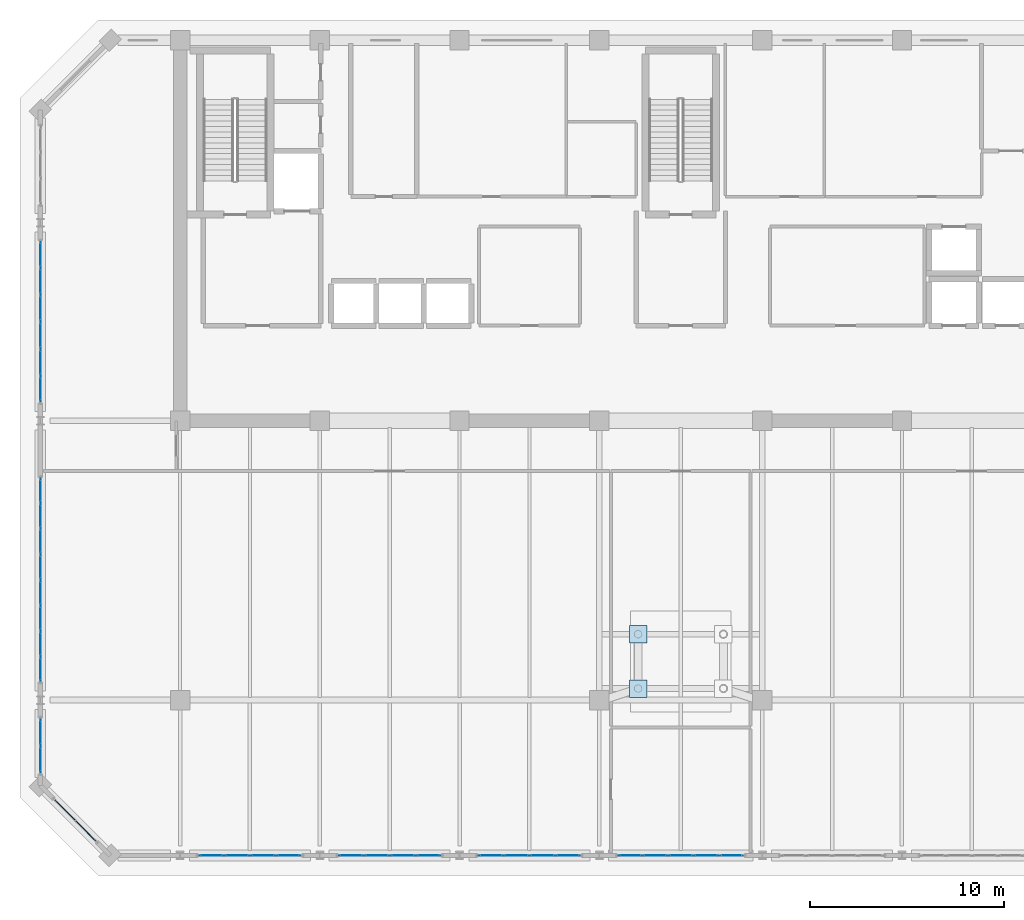
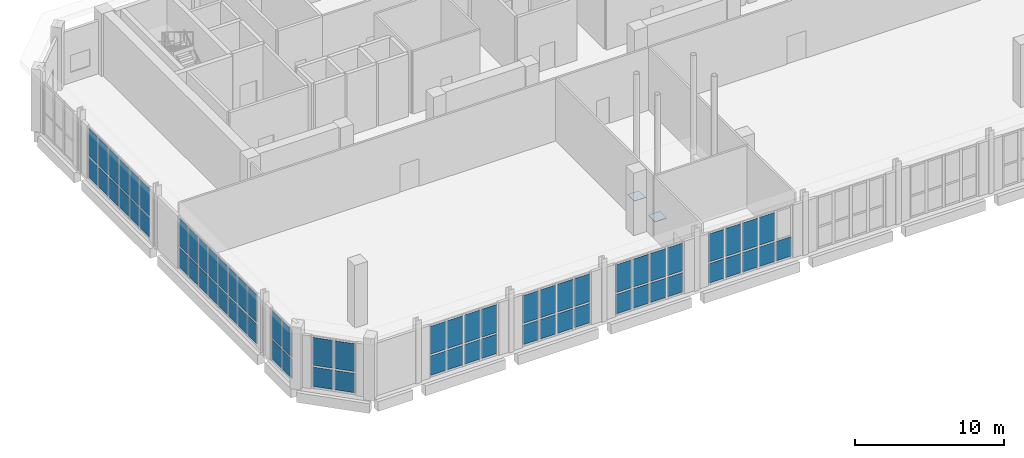
# One storey, part 17 of 26: 71 plates, 8 elements without a shape of their own.
"""IFC4 building model written with IfcOpenShell, lengths in metres."""

from ifc_helpers import new_model, si_unit, direction, frame, origin, origin_2d, place, context, subcontext, project, spatial, rectangle, extrude, material, layer, layer_set, type_object, element, aggregate, save


model = new_model("IFC4")

# Units and contexts
model_context = context("Model", 3, precision=1e-05, world=origin(), true_north=direction((0.0, 1.0)))
body_context = subcontext(model_context, "Body", "Model", "MODEL_VIEW")
ifc_project = project(units=[si_unit("LENGTHUNIT", "METRE"), si_unit("AREAUNIT", "SQUARE_METRE"), si_unit("VOLUMEUNIT", "CUBIC_METRE"), si_unit("PLANEANGLEUNIT", "RADIAN"), si_unit("MASSUNIT", "GRAM", prefix="KILO")], contexts=[model_context])

# Site, building, storey
site_placement = place(None, origin())
site = spatial("IfcSite", under=ifc_project, at=site_placement, CompositionType="ELEMENT")
building_placement = place(site_placement, origin())
building = spatial("IfcBuilding", under=site, at=building_placement, Name="Kaelvorn Grand Hotel", CompositionType="ELEMENT")
storey_placement = place(building_placement, frame((0.0, 0.0, 294.699951171875)))
storey = spatial("IfcBuildingStorey", under=building, at=storey_placement, Name="L72", CompositionType="ELEMENT", Elevation=294.699951171875)

# Curtain wall, plates
ifc_material_1 = material(Name="Anodised Aluminium", Category="aluminium")
ifc_layer_1 = layer(ifc_material_1, 0.239990234375)
ifc_layer_set_1 = layer_set([ifc_layer_1], Name="Anodised Aluminium")
curtain_wall_type = type_object("IfcCurtainWallType", Name="CW-SYS5", PredefinedType="NOTDEFINED", material=ifc_layer_set_1)
curtain_wall_1_placement = place(storey_placement, origin())
curtain_wall_1 = element("IfcCurtainWall", 1, at=curtain_wall_1_placement, inside=storey, type_object=curtain_wall_type, Name="L72 Unitised Curtain Wall CW5 (CW-L72-S-01)", PredefinedType="NOTDEFINED")
ifc_material_2 = material(Name="Laminated Low-E Glass", Category="glass")
ifc_layer_2 = layer(ifc_material_2, 0.0380859375)
ifc_layer_set_2 = layer_set([ifc_layer_2], Name="Laminated Low-E Glass")
plate_type_1 = type_object("IfcPlateType", Name="CW-SYS5-PAN", PredefinedType="CURTAIN_PANEL", material=ifc_layer_set_2)
plate_1_placement = place(storey_placement, frame((17.81005859375, 7.0, 0.150146484375), z_axis=(0.0, 0.0, 1.0), x_axis=(1.0, 0.0, 0.0)))
plate_1 = element("IfcPlate", 2, at=plate_1_placement, type_object=plate_type_1, Name="CW5 panel 1.1", PredefinedType="CURTAIN_PANEL", context=body_context, shape_type="SweptSolid", body=[
    extrude(rectangle(XDim=1.219970703125, YDim=0.0380859375, at=origin_2d()), origin(), (0.0, 0.0, 1.0), 1.58935546875),
])
plate_2_placement = place(storey_placement, frame((17.81005859375, 7.0, 1.8896484375), z_axis=(0.0, 0.0, 1.0), x_axis=(1.0, 0.0, 0.0)))
plate_2 = element("IfcPlate", 3, at=plate_2_placement, type_object=plate_type_1, Name="CW5 panel 1.2", PredefinedType="CURTAIN_PANEL", context=body_context, shape_type="SweptSolid", body=[
    extrude(rectangle(XDim=1.219970703125, YDim=0.0380859375, at=origin_2d()), origin(), (0.0, 0.0, 1.0), 2.280517578125),
])
plate_3_placement = place(storey_placement, frame((19.1298828125, 7.0, 0.150146484375), z_axis=(0.0, 0.0, 1.0), x_axis=(1.0, 0.0, 0.0)))
plate_3 = element("IfcPlate", 4, at=plate_3_placement, type_object=plate_type_1, Name="CW5 panel 2.1", PredefinedType="CURTAIN_PANEL", context=body_context, shape_type="SweptSolid", body=[
    extrude(rectangle(XDim=1.260009765625, YDim=0.0380859375, at=origin_2d()), origin(), (0.0, 0.0, 1.0), 1.58935546875),
])
plate_4_placement = place(storey_placement, frame((19.1298828125, 7.0, 1.8896484375), z_axis=(0.0, 0.0, 1.0), x_axis=(1.0, 0.0, 0.0)))
plate_4 = element("IfcPlate", 5, at=plate_4_placement, type_object=plate_type_1, Name="CW5 panel 2.2", PredefinedType="CURTAIN_PANEL", context=body_context, shape_type="SweptSolid", body=[
    extrude(rectangle(XDim=1.260009765625, YDim=0.0380859375, at=origin_2d()), origin(), (0.0, 0.0, 1.0), 2.280517578125),
])
plate_5_placement = place(storey_placement, frame((20.469970703125, 7.0, 0.150146484375), z_axis=(0.0, 0.0, 1.0), x_axis=(1.0, 0.0, 0.0)))
plate_5 = element("IfcPlate", 6, at=plate_5_placement, type_object=plate_type_1, Name="CW5 panel 3.1", PredefinedType="CURTAIN_PANEL", context=body_context, shape_type="SweptSolid", body=[
    extrude(rectangle(XDim=1.260009765625, YDim=0.0380859375, at=origin_2d()), origin(), (0.0, 0.0, 1.0), 1.58935546875),
])
plate_6_placement = place(storey_placement, frame((20.469970703125, 7.0, 1.8896484375), z_axis=(0.0, 0.0, 1.0), x_axis=(1.0, 0.0, 0.0)))
plate_6 = element("IfcPlate", 7, at=plate_6_placement, type_object=plate_type_1, Name="CW5 panel 3.2", PredefinedType="CURTAIN_PANEL", context=body_context, shape_type="SweptSolid", body=[
    extrude(rectangle(XDim=1.260009765625, YDim=0.0380859375, at=origin_2d()), origin(), (0.0, 0.0, 1.0), 2.280517578125),
])
plate_7_placement = place(storey_placement, frame((21.7900390625, 7.0, 0.150146484375), z_axis=(0.0, 0.0, 1.0), x_axis=(1.0, 0.0, 0.0)))
plate_7 = element("IfcPlate", 8, at=plate_7_placement, type_object=plate_type_1, Name="CW5 panel 4.1", PredefinedType="CURTAIN_PANEL", context=body_context, shape_type="SweptSolid", body=[
    extrude(rectangle(XDim=1.219970703125, YDim=0.0380859375, at=origin_2d()), origin(), (0.0, 0.0, 1.0), 1.58935546875),
])
plate_8_placement = place(storey_placement, frame((21.7900390625, 7.0, 1.8896484375), z_axis=(0.0, 0.0, 1.0), x_axis=(1.0, 0.0, 0.0)))
plate_8 = element("IfcPlate", 9, at=plate_8_placement, type_object=plate_type_1, Name="CW5 panel 4.2", PredefinedType="CURTAIN_PANEL", context=body_context, shape_type="SweptSolid", body=[
    extrude(rectangle(XDim=1.219970703125, YDim=0.0380859375, at=origin_2d()), origin(), (0.0, 0.0, 1.0), 2.280517578125),
])
aggregate(curtain_wall_1, [plate_1, plate_2, plate_3, plate_4, plate_5, plate_6, plate_7, plate_8])

curtain_wall_2_placement = place(storey_placement, origin())
curtain_wall_2 = element("IfcCurtainWall", 10, at=curtain_wall_2_placement, inside=storey, type_object=curtain_wall_type, Name="L72 Unitised Curtain Wall CW5 (CW-L72-S-02)", PredefinedType="NOTDEFINED")
plate_9_placement = place(storey_placement, frame((25.010009765625, 7.0, 0.150146484375), z_axis=(0.0, 0.0, 1.0), x_axis=(1.0, 0.0, 0.0)))
plate_9 = element("IfcPlate", 11, at=plate_9_placement, type_object=plate_type_1, Name="CW5 panel 1.1", PredefinedType="CURTAIN_PANEL", context=body_context, shape_type="SweptSolid", body=[
    extrude(rectangle(XDim=1.219970703125, YDim=0.0380859375, at=origin_2d()), origin(), (0.0, 0.0, 1.0), 1.58935546875),
])
plate_10_placement = place(storey_placement, frame((25.010009765625, 7.0, 1.8896484375), z_axis=(0.0, 0.0, 1.0), x_axis=(1.0, 0.0, 0.0)))
plate_10 = element("IfcPlate", 12, at=plate_10_placement, type_object=plate_type_1, Name="CW5 panel 1.2", PredefinedType="CURTAIN_PANEL", context=body_context, shape_type="SweptSolid", body=[
    extrude(rectangle(XDim=1.219970703125, YDim=0.0380859375, at=origin_2d()), origin(), (0.0, 0.0, 1.0), 2.280517578125),
])
plate_11_placement = place(storey_placement, frame((26.330078125, 7.0, 0.150146484375), z_axis=(0.0, 0.0, 1.0), x_axis=(1.0, 0.0, 0.0)))
plate_11 = element("IfcPlate", 13, at=plate_11_placement, type_object=plate_type_1, Name="CW5 panel 2.1", PredefinedType="CURTAIN_PANEL", context=body_context, shape_type="SweptSolid", body=[
    extrude(rectangle(XDim=1.260009765625, YDim=0.0380859375, at=origin_2d()), origin(), (0.0, 0.0, 1.0), 1.58935546875),
])
plate_12_placement = place(storey_placement, frame((26.330078125, 7.0, 1.8896484375), z_axis=(0.0, 0.0, 1.0), x_axis=(1.0, 0.0, 0.0)))
plate_12 = element("IfcPlate", 14, at=plate_12_placement, type_object=plate_type_1, Name="CW5 panel 2.2", PredefinedType="CURTAIN_PANEL", context=body_context, shape_type="SweptSolid", body=[
    extrude(rectangle(XDim=1.260009765625, YDim=0.0380859375, at=origin_2d()), origin(), (0.0, 0.0, 1.0), 2.280517578125),
])
plate_13_placement = place(storey_placement, frame((27.669921875, 7.0, 0.150146484375), z_axis=(0.0, 0.0, 1.0), x_axis=(1.0, 0.0, 0.0)))
plate_13 = element("IfcPlate", 15, at=plate_13_placement, type_object=plate_type_1, Name="CW5 panel 3.1", PredefinedType="CURTAIN_PANEL", context=body_context, shape_type="SweptSolid", body=[
    extrude(rectangle(XDim=1.260009765625, YDim=0.0380859375, at=origin_2d()), origin(), (0.0, 0.0, 1.0), 1.58935546875),
])
plate_14_placement = place(storey_placement, frame((27.669921875, 7.0, 1.8896484375), z_axis=(0.0, 0.0, 1.0), x_axis=(1.0, 0.0, 0.0)))
plate_14 = element("IfcPlate", 16, at=plate_14_placement, type_object=plate_type_1, Name="CW5 panel 3.2", PredefinedType="CURTAIN_PANEL", context=body_context, shape_type="SweptSolid", body=[
    extrude(rectangle(XDim=1.260009765625, YDim=0.0380859375, at=origin_2d()), origin(), (0.0, 0.0, 1.0), 2.280517578125),
])
plate_15_placement = place(storey_placement, frame((28.989990234375, 7.0, 0.150146484375), z_axis=(0.0, 0.0, 1.0), x_axis=(1.0, 0.0, 0.0)))
plate_15 = element("IfcPlate", 17, at=plate_15_placement, type_object=plate_type_1, Name="CW5 panel 4.1", PredefinedType="CURTAIN_PANEL", context=body_context, shape_type="SweptSolid", body=[
    extrude(rectangle(XDim=1.219970703125, YDim=0.0380859375, at=origin_2d()), origin(), (0.0, 0.0, 1.0), 1.58935546875),
])
plate_16_placement = place(storey_placement, frame((28.989990234375, 7.0, 1.8896484375), z_axis=(0.0, 0.0, 1.0), x_axis=(1.0, 0.0, 0.0)))
plate_16 = element("IfcPlate", 18, at=plate_16_placement, type_object=plate_type_1, Name="CW5 panel 4.2", PredefinedType="CURTAIN_PANEL", context=body_context, shape_type="SweptSolid", body=[
    extrude(rectangle(XDim=1.219970703125, YDim=0.0380859375, at=origin_2d()), origin(), (0.0, 0.0, 1.0), 2.280517578125),
])
aggregate(curtain_wall_2, [plate_9, plate_10, plate_11, plate_12, plate_13, plate_14, plate_15, plate_16])

curtain_wall_3_placement = place(storey_placement, origin())
curtain_wall_3 = element("IfcCurtainWall", 19, at=curtain_wall_3_placement, inside=storey, type_object=curtain_wall_type, Name="L72 Unitised Curtain Wall CW5 (CW-L72-S-03)", PredefinedType="NOTDEFINED")
plate_17_placement = place(storey_placement, frame((32.2099609375, 7.0, 0.150146484375), z_axis=(0.0, 0.0, 1.0), x_axis=(1.0, 0.0, 0.0)))
plate_17 = element("IfcPlate", 20, at=plate_17_placement, type_object=plate_type_1, Name="CW5 panel 1.1", PredefinedType="CURTAIN_PANEL", context=body_context, shape_type="SweptSolid", body=[
    extrude(rectangle(XDim=1.219970703125, YDim=0.0380859375, at=origin_2d()), origin(), (0.0, 0.0, 1.0), 1.58935546875),
])
plate_18_placement = place(storey_placement, frame((32.2099609375, 7.0, 1.8896484375), z_axis=(0.0, 0.0, 1.0), x_axis=(1.0, 0.0, 0.0)))
plate_18 = element("IfcPlate", 21, at=plate_18_placement, type_object=plate_type_1, Name="CW5 panel 1.2", PredefinedType="CURTAIN_PANEL", context=body_context, shape_type="SweptSolid", body=[
    extrude(rectangle(XDim=1.219970703125, YDim=0.0380859375, at=origin_2d()), origin(), (0.0, 0.0, 1.0), 2.280517578125),
])
plate_19_placement = place(storey_placement, frame((33.530029296875, 7.0, 0.150146484375), z_axis=(0.0, 0.0, 1.0), x_axis=(1.0, 0.0, 0.0)))
plate_19 = element("IfcPlate", 22, at=plate_19_placement, type_object=plate_type_1, Name="CW5 panel 2.1", PredefinedType="CURTAIN_PANEL", context=body_context, shape_type="SweptSolid", body=[
    extrude(rectangle(XDim=1.260009765625, YDim=0.0380859375, at=origin_2d()), origin(), (0.0, 0.0, 1.0), 1.58935546875),
])
plate_20_placement = place(storey_placement, frame((33.530029296875, 7.0, 1.8896484375), z_axis=(0.0, 0.0, 1.0), x_axis=(1.0, 0.0, 0.0)))
plate_20 = element("IfcPlate", 23, at=plate_20_placement, type_object=plate_type_1, Name="CW5 panel 2.2", PredefinedType="CURTAIN_PANEL", context=body_context, shape_type="SweptSolid", body=[
    extrude(rectangle(XDim=1.260009765625, YDim=0.0380859375, at=origin_2d()), origin(), (0.0, 0.0, 1.0), 2.280517578125),
])
plate_21_placement = place(storey_placement, frame((34.8701171875, 7.0, 0.150146484375), z_axis=(0.0, 0.0, 1.0), x_axis=(1.0, 0.0, 0.0)))
plate_21 = element("IfcPlate", 24, at=plate_21_placement, type_object=plate_type_1, Name="CW5 panel 3.1", PredefinedType="CURTAIN_PANEL", context=body_context, shape_type="SweptSolid", body=[
    extrude(rectangle(XDim=1.260009765625, YDim=0.0380859375, at=origin_2d()), origin(), (0.0, 0.0, 1.0), 1.58935546875),
])
plate_22_placement = place(storey_placement, frame((34.8701171875, 7.0, 1.8896484375), z_axis=(0.0, 0.0, 1.0), x_axis=(1.0, 0.0, 0.0)))
plate_22 = element("IfcPlate", 25, at=plate_22_placement, type_object=plate_type_1, Name="CW5 panel 3.2", PredefinedType="CURTAIN_PANEL", context=body_context, shape_type="SweptSolid", body=[
    extrude(rectangle(XDim=1.260009765625, YDim=0.0380859375, at=origin_2d()), origin(), (0.0, 0.0, 1.0), 2.280517578125),
])
plate_23_placement = place(storey_placement, frame((36.18994140625, 7.0, 0.150146484375), z_axis=(0.0, 0.0, 1.0), x_axis=(1.0, 0.0, 0.0)))
plate_23 = element("IfcPlate", 26, at=plate_23_placement, type_object=plate_type_1, Name="CW5 panel 4.1", PredefinedType="CURTAIN_PANEL", context=body_context, shape_type="SweptSolid", body=[
    extrude(rectangle(XDim=1.219970703125, YDim=0.0380859375, at=origin_2d()), origin(), (0.0, 0.0, 1.0), 1.58935546875),
])
plate_24_placement = place(storey_placement, frame((36.18994140625, 7.0, 1.8896484375), z_axis=(0.0, 0.0, 1.0), x_axis=(1.0, 0.0, 0.0)))
plate_24 = element("IfcPlate", 27, at=plate_24_placement, type_object=plate_type_1, Name="CW5 panel 4.2", PredefinedType="CURTAIN_PANEL", context=body_context, shape_type="SweptSolid", body=[
    extrude(rectangle(XDim=1.219970703125, YDim=0.0380859375, at=origin_2d()), origin(), (0.0, 0.0, 1.0), 2.280517578125),
])
aggregate(curtain_wall_3, [plate_17, plate_18, plate_19, plate_20, plate_21, plate_22, plate_23, plate_24])

curtain_wall_4_placement = place(storey_placement, origin())
curtain_wall_4 = element("IfcCurtainWall", 28, at=curtain_wall_4_placement, inside=storey, type_object=curtain_wall_type, Name="L72 Unitised Curtain Wall CW5 (CW-L72-S-04)", PredefinedType="NOTDEFINED")
plate_25_placement = place(storey_placement, frame((39.39599609375, 7.0, 0.150146484375), z_axis=(0.0, 0.0, 1.0), x_axis=(1.0, 0.0, 0.0)))
plate_25 = element("IfcPlate", 29, at=plate_25_placement, type_object=plate_type_1, Name="CW5 panel 1.1", PredefinedType="CURTAIN_PANEL", context=body_context, shape_type="SweptSolid", body=[
    extrude(rectangle(XDim=1.19189453125, YDim=0.0380859375, at=origin_2d()), origin(), (0.0, 0.0, 1.0), 1.58935546875),
])
plate_26_placement = place(storey_placement, frame((39.39599609375, 7.0, 1.8896484375), z_axis=(0.0, 0.0, 1.0), x_axis=(1.0, 0.0, 0.0)))
plate_26 = element("IfcPlate", 30, at=plate_26_placement, type_object=plate_type_1, Name="CW5 panel 1.2", PredefinedType="CURTAIN_PANEL", context=body_context, shape_type="SweptSolid", body=[
    extrude(rectangle(XDim=1.19189453125, YDim=0.0380859375, at=origin_2d()), origin(), (0.0, 0.0, 1.0), 2.280517578125),
])
plate_27_placement = place(storey_placement, frame((40.68798828125, 7.0, 0.150146484375), z_axis=(0.0, 0.0, 1.0), x_axis=(1.0, 0.0, 0.0)))
plate_27 = element("IfcPlate", 31, at=plate_27_placement, type_object=plate_type_1, Name="CW5 panel 2.1", PredefinedType="CURTAIN_PANEL", context=body_context, shape_type="SweptSolid", body=[
    extrude(rectangle(XDim=1.23193359375, YDim=0.0380859375, at=origin_2d()), origin(), (0.0, 0.0, 1.0), 1.58935546875),
])
plate_28_placement = place(storey_placement, frame((40.68798828125, 7.0, 1.8896484375), z_axis=(0.0, 0.0, 1.0), x_axis=(1.0, 0.0, 0.0)))
plate_28 = element("IfcPlate", 32, at=plate_28_placement, type_object=plate_type_1, Name="CW5 panel 2.2", PredefinedType="CURTAIN_PANEL", context=body_context, shape_type="SweptSolid", body=[
    extrude(rectangle(XDim=1.23193359375, YDim=0.0380859375, at=origin_2d()), origin(), (0.0, 0.0, 1.0), 2.280517578125),
])
plate_29_placement = place(storey_placement, frame((42.0, 7.0, 0.150146484375), z_axis=(0.0, 0.0, 1.0), x_axis=(1.0, 0.0, 0.0)))
plate_29 = element("IfcPlate", 33, at=plate_29_placement, type_object=plate_type_1, Name="CW5 panel 3.1", PredefinedType="CURTAIN_PANEL", context=body_context, shape_type="SweptSolid", body=[
    extrude(rectangle(XDim=1.23193359375, YDim=0.0380859375, at=origin_2d()), origin(), (0.0, 0.0, 1.0), 1.58935546875),
])
plate_30_placement = place(storey_placement, frame((42.0, 7.0, 1.8896484375), z_axis=(0.0, 0.0, 1.0), x_axis=(1.0, 0.0, 0.0)))
plate_30 = element("IfcPlate", 34, at=plate_30_placement, type_object=plate_type_1, Name="CW5 panel 3.2", PredefinedType="CURTAIN_PANEL", context=body_context, shape_type="SweptSolid", body=[
    extrude(rectangle(XDim=1.23193359375, YDim=0.0380859375, at=origin_2d()), origin(), (0.0, 0.0, 1.0), 2.280517578125),
])
plate_31_placement = place(storey_placement, frame((43.31201171875, 7.0, 0.150146484375), z_axis=(0.0, 0.0, 1.0), x_axis=(1.0, 0.0, 0.0)))
plate_31 = element("IfcPlate", 35, at=plate_31_placement, type_object=plate_type_1, Name="CW5 panel 4.1", PredefinedType="CURTAIN_PANEL", context=body_context, shape_type="SweptSolid", body=[
    extrude(rectangle(XDim=1.23193359375, YDim=0.0380859375, at=origin_2d()), origin(), (0.0, 0.0, 1.0), 1.58935546875),
])
plate_32_placement = place(storey_placement, frame((43.31201171875, 7.0, 1.8896484375), z_axis=(0.0, 0.0, 1.0), x_axis=(1.0, 0.0, 0.0)))
plate_32 = element("IfcPlate", 36, at=plate_32_placement, type_object=plate_type_1, Name="CW5 panel 4.2", PredefinedType="CURTAIN_PANEL", context=body_context, shape_type="SweptSolid", body=[
    extrude(rectangle(XDim=1.23193359375, YDim=0.0380859375, at=origin_2d()), origin(), (0.0, 0.0, 1.0), 2.280517578125),
])
plate_33_placement = place(storey_placement, frame((44.60400390625, 7.0, 0.150146484375), z_axis=(0.0, 0.0, 1.0), x_axis=(1.0, 0.0, 0.0)))
plate_33 = element("IfcPlate", 37, at=plate_33_placement, type_object=plate_type_1, Name="CW5 panel 5.1", PredefinedType="CURTAIN_PANEL", context=body_context, shape_type="SweptSolid", body=[
    extrude(rectangle(XDim=1.19189453125, YDim=0.0380859375, at=origin_2d()), origin(), (0.0, 0.0, 1.0), 1.58935546875),
])
aggregate(curtain_wall_4, [plate_25, plate_26, plate_27, plate_28, plate_29, plate_30, plate_31, plate_32, plate_33])

curtain_wall_5_placement = place(storey_placement, origin())
curtain_wall_5 = element("IfcCurtainWall", 38, at=curtain_wall_5_placement, inside=storey, type_object=curtain_wall_type, Name="L72 Unitised Curtain Wall CW5 (CW-L72-W-03)", PredefinedType="NOTDEFINED")
plate_34_placement = place(storey_placement, frame((9.0, 37.96337890625, 0.150146484375), z_axis=(0.0, 0.0, 1.0), x_axis=(0.0, -1.0, 0.0)))
plate_34 = element("IfcPlate", 39, at=plate_34_placement, type_object=plate_type_1, Name="CW5 panel 1.1", PredefinedType="CURTAIN_PANEL", context=body_context, shape_type="SweptSolid", body=[
    extrude(rectangle(XDim=1.2734375, YDim=0.0380859375, at=origin_2d()), origin(), (0.0, 0.0, 1.0), 1.58935546875),
])
plate_35_placement = place(storey_placement, frame((9.0, 37.96337890625, 1.8896484375), z_axis=(0.0, 0.0, 1.0), x_axis=(0.0, -1.0, 0.0)))
plate_35 = element("IfcPlate", 40, at=plate_35_placement, type_object=plate_type_1, Name="CW5 panel 1.2", PredefinedType="CURTAIN_PANEL", context=body_context, shape_type="SweptSolid", body=[
    extrude(rectangle(XDim=1.2734375, YDim=0.0380859375, at=origin_2d()), origin(), (0.0, 0.0, 1.0), 2.280517578125),
])
plate_36_placement = place(storey_placement, frame((9.0, 36.590087890625, 0.150146484375), z_axis=(0.0, 0.0, 1.0), x_axis=(0.0, -1.0, 0.0)))
plate_36 = element("IfcPlate", 41, at=plate_36_placement, type_object=plate_type_1, Name="CW5 panel 2.1", PredefinedType="CURTAIN_PANEL", context=body_context, shape_type="SweptSolid", body=[
    extrude(rectangle(XDim=1.313232421875, YDim=0.0380859375, at=origin_2d()), origin(), (0.0, 0.0, 1.0), 1.58935546875),
])
plate_37_placement = place(storey_placement, frame((9.0, 36.590087890625, 1.8896484375), z_axis=(0.0, 0.0, 1.0), x_axis=(0.0, -1.0, 0.0)))
plate_37 = element("IfcPlate", 42, at=plate_37_placement, type_object=plate_type_1, Name="CW5 panel 2.2", PredefinedType="CURTAIN_PANEL", context=body_context, shape_type="SweptSolid", body=[
    extrude(rectangle(XDim=1.313232421875, YDim=0.0380859375, at=origin_2d()), origin(), (0.0, 0.0, 1.0), 2.280517578125),
])
plate_38_placement = place(storey_placement, frame((9.0, 35.19677734375, 0.150146484375), z_axis=(0.0, 0.0, 1.0), x_axis=(0.0, -1.0, 0.0)))
plate_38 = element("IfcPlate", 43, at=plate_38_placement, type_object=plate_type_1, Name="CW5 panel 3.1", PredefinedType="CURTAIN_PANEL", context=body_context, shape_type="SweptSolid", body=[
    extrude(rectangle(XDim=1.313232421875, YDim=0.0380859375, at=origin_2d()), origin(), (0.0, 0.0, 1.0), 1.58935546875),
])
plate_39_placement = place(storey_placement, frame((9.0, 35.19677734375, 1.8896484375), z_axis=(0.0, 0.0, 1.0), x_axis=(0.0, -1.0, 0.0)))
plate_39 = element("IfcPlate", 44, at=plate_39_placement, type_object=plate_type_1, Name="CW5 panel 3.2", PredefinedType="CURTAIN_PANEL", context=body_context, shape_type="SweptSolid", body=[
    extrude(rectangle(XDim=1.313232421875, YDim=0.0380859375, at=origin_2d()), origin(), (0.0, 0.0, 1.0), 2.280517578125),
])
plate_40_placement = place(storey_placement, frame((9.0, 33.80322265625, 0.150146484375), z_axis=(0.0, 0.0, 1.0), x_axis=(0.0, -1.0, 0.0)))
plate_40 = element("IfcPlate", 45, at=plate_40_placement, type_object=plate_type_1, Name="CW5 panel 4.1", PredefinedType="CURTAIN_PANEL", context=body_context, shape_type="SweptSolid", body=[
    extrude(rectangle(XDim=1.313232421875, YDim=0.0380859375, at=origin_2d()), origin(), (0.0, 0.0, 1.0), 1.58935546875),
])
plate_41_placement = place(storey_placement, frame((9.0, 33.80322265625, 1.8896484375), z_axis=(0.0, 0.0, 1.0), x_axis=(0.0, -1.0, 0.0)))
plate_41 = element("IfcPlate", 46, at=plate_41_placement, type_object=plate_type_1, Name="CW5 panel 4.2", PredefinedType="CURTAIN_PANEL", context=body_context, shape_type="SweptSolid", body=[
    extrude(rectangle(XDim=1.313232421875, YDim=0.0380859375, at=origin_2d()), origin(), (0.0, 0.0, 1.0), 2.280517578125),
])
plate_42_placement = place(storey_placement, frame((9.0, 32.409912109375, 0.150146484375), z_axis=(0.0, 0.0, 1.0), x_axis=(0.0, -1.0, 0.0)))
plate_42 = element("IfcPlate", 47, at=plate_42_placement, type_object=plate_type_1, Name="CW5 panel 5.1", PredefinedType="CURTAIN_PANEL", context=body_context, shape_type="SweptSolid", body=[
    extrude(rectangle(XDim=1.313232421875, YDim=0.0380859375, at=origin_2d()), origin(), (0.0, 0.0, 1.0), 1.58935546875),
])
plate_43_placement = place(storey_placement, frame((9.0, 32.409912109375, 1.8896484375), z_axis=(0.0, 0.0, 1.0), x_axis=(0.0, -1.0, 0.0)))
plate_43 = element("IfcPlate", 48, at=plate_43_placement, type_object=plate_type_1, Name="CW5 panel 5.2", PredefinedType="CURTAIN_PANEL", context=body_context, shape_type="SweptSolid", body=[
    extrude(rectangle(XDim=1.313232421875, YDim=0.0380859375, at=origin_2d()), origin(), (0.0, 0.0, 1.0), 2.280517578125),
])
plate_44_placement = place(storey_placement, frame((9.0, 31.03662109375, 0.150146484375), z_axis=(0.0, 0.0, 1.0), x_axis=(0.0, -1.0, 0.0)))
plate_44 = element("IfcPlate", 49, at=plate_44_placement, type_object=plate_type_1, Name="CW5 panel 6.1", PredefinedType="CURTAIN_PANEL", context=body_context, shape_type="SweptSolid", body=[
    extrude(rectangle(XDim=1.2734375, YDim=0.0380859375, at=origin_2d()), origin(), (0.0, 0.0, 1.0), 1.58935546875),
])
plate_45_placement = place(storey_placement, frame((9.0, 31.03662109375, 1.8896484375), z_axis=(0.0, 0.0, 1.0), x_axis=(0.0, -1.0, 0.0)))
plate_45 = element("IfcPlate", 50, at=plate_45_placement, type_object=plate_type_1, Name="CW5 panel 6.2", PredefinedType="CURTAIN_PANEL", context=body_context, shape_type="SweptSolid", body=[
    extrude(rectangle(XDim=1.2734375, YDim=0.0380859375, at=origin_2d()), origin(), (0.0, 0.0, 1.0), 2.280517578125),
])
aggregate(curtain_wall_5, [plate_34, plate_35, plate_36, plate_37, plate_38, plate_39, plate_40, plate_41, plate_42, plate_43, plate_44, plate_45])

curtain_wall_6_placement = place(storey_placement, origin())
curtain_wall_6 = element("IfcCurtainWall", 51, at=curtain_wall_6_placement, inside=storey, type_object=curtain_wall_type, Name="L72 Unitised Curtain Wall CW5 (CW-L72-W-02)", PredefinedType="NOTDEFINED")
plate_46_placement = place(storey_placement, frame((9.0, 25.800048828125, 0.150146484375), z_axis=(0.0, 0.0, 1.0), x_axis=(0.0, -1.0, 0.0)))
plate_46 = element("IfcPlate", 52, at=plate_46_placement, type_object=plate_type_1, Name="CW5 panel 1.1", PredefinedType="CURTAIN_PANEL", context=body_context, shape_type="SweptSolid", body=[
    extrude(rectangle(XDim=1.199951171875, YDim=0.0380859375, at=origin_2d()), origin(), (0.0, 0.0, 1.0), 1.58935546875),
])
plate_47_placement = place(storey_placement, frame((9.0, 25.800048828125, 1.8896484375), z_axis=(0.0, 0.0, 1.0), x_axis=(0.0, -1.0, 0.0)))
plate_47 = element("IfcPlate", 53, at=plate_47_placement, type_object=plate_type_1, Name="CW5 panel 1.2", PredefinedType="CURTAIN_PANEL", context=body_context, shape_type="SweptSolid", body=[
    extrude(rectangle(XDim=1.199951171875, YDim=0.0380859375, at=origin_2d()), origin(), (0.0, 0.0, 1.0), 2.280517578125),
])
plate_48_placement = place(storey_placement, frame((9.0, 24.5, 0.150146484375), z_axis=(0.0, 0.0, 1.0), x_axis=(0.0, -1.0, 0.0)))
plate_48 = element("IfcPlate", 54, at=plate_48_placement, type_object=plate_type_1, Name="CW5 panel 2.1", PredefinedType="CURTAIN_PANEL", context=body_context, shape_type="SweptSolid", body=[
    extrude(rectangle(XDim=1.239990234375, YDim=0.0380859375, at=origin_2d()), origin(), (0.0, 0.0, 1.0), 1.58935546875),
])
plate_49_placement = place(storey_placement, frame((9.0, 24.5, 1.8896484375), z_axis=(0.0, 0.0, 1.0), x_axis=(0.0, -1.0, 0.0)))
plate_49 = element("IfcPlate", 55, at=plate_49_placement, type_object=plate_type_1, Name="CW5 panel 2.2", PredefinedType="CURTAIN_PANEL", context=body_context, shape_type="SweptSolid", body=[
    extrude(rectangle(XDim=1.239990234375, YDim=0.0380859375, at=origin_2d()), origin(), (0.0, 0.0, 1.0), 2.280517578125),
])
plate_50_placement = place(storey_placement, frame((9.0, 23.179931640625, 0.150146484375), z_axis=(0.0, 0.0, 1.0), x_axis=(0.0, -1.0, 0.0)))
plate_50 = element("IfcPlate", 56, at=plate_50_placement, type_object=plate_type_1, Name="CW5 panel 3.1", PredefinedType="CURTAIN_PANEL", context=body_context, shape_type="SweptSolid", body=[
    extrude(rectangle(XDim=1.239990234375, YDim=0.0380859375, at=origin_2d()), origin(), (0.0, 0.0, 1.0), 1.58935546875),
])
plate_51_placement = place(storey_placement, frame((9.0, 23.179931640625, 1.8896484375), z_axis=(0.0, 0.0, 1.0), x_axis=(0.0, -1.0, 0.0)))
plate_51 = element("IfcPlate", 57, at=plate_51_placement, type_object=plate_type_1, Name="CW5 panel 3.2", PredefinedType="CURTAIN_PANEL", context=body_context, shape_type="SweptSolid", body=[
    extrude(rectangle(XDim=1.239990234375, YDim=0.0380859375, at=origin_2d()), origin(), (0.0, 0.0, 1.0), 2.280517578125),
])
plate_52_placement = place(storey_placement, frame((9.0, 21.860107421875, 0.150146484375), z_axis=(0.0, 0.0, 1.0), x_axis=(0.0, -1.0, 0.0)))
plate_52 = element("IfcPlate", 58, at=plate_52_placement, type_object=plate_type_1, Name="CW5 panel 4.1", PredefinedType="CURTAIN_PANEL", context=body_context, shape_type="SweptSolid", body=[
    extrude(rectangle(XDim=1.239990234375, YDim=0.0380859375, at=origin_2d()), origin(), (0.0, 0.0, 1.0), 1.58935546875),
])
plate_53_placement = place(storey_placement, frame((9.0, 21.860107421875, 1.8896484375), z_axis=(0.0, 0.0, 1.0), x_axis=(0.0, -1.0, 0.0)))
plate_53 = element("IfcPlate", 59, at=plate_53_placement, type_object=plate_type_1, Name="CW5 panel 4.2", PredefinedType="CURTAIN_PANEL", context=body_context, shape_type="SweptSolid", body=[
    extrude(rectangle(XDim=1.239990234375, YDim=0.0380859375, at=origin_2d()), origin(), (0.0, 0.0, 1.0), 2.280517578125),
])
plate_54_placement = place(storey_placement, frame((9.0, 20.5400390625, 0.150146484375), z_axis=(0.0, 0.0, 1.0), x_axis=(0.0, -1.0, 0.0)))
plate_54 = element("IfcPlate", 60, at=plate_54_placement, type_object=plate_type_1, Name="CW5 panel 5.1", PredefinedType="CURTAIN_PANEL", context=body_context, shape_type="SweptSolid", body=[
    extrude(rectangle(XDim=1.239990234375, YDim=0.0380859375, at=origin_2d()), origin(), (0.0, 0.0, 1.0), 1.58935546875),
])
plate_55_placement = place(storey_placement, frame((9.0, 20.5400390625, 1.8896484375), z_axis=(0.0, 0.0, 1.0), x_axis=(0.0, -1.0, 0.0)))
plate_55 = element("IfcPlate", 61, at=plate_55_placement, type_object=plate_type_1, Name="CW5 panel 5.2", PredefinedType="CURTAIN_PANEL", context=body_context, shape_type="SweptSolid", body=[
    extrude(rectangle(XDim=1.239990234375, YDim=0.0380859375, at=origin_2d()), origin(), (0.0, 0.0, 1.0), 2.280517578125),
])
plate_56_placement = place(storey_placement, frame((9.0, 19.219970703125, 0.150146484375), z_axis=(0.0, 0.0, 1.0), x_axis=(0.0, -1.0, 0.0)))
plate_56 = element("IfcPlate", 62, at=plate_56_placement, type_object=plate_type_1, Name="CW5 panel 6.1", PredefinedType="CURTAIN_PANEL", context=body_context, shape_type="SweptSolid", body=[
    extrude(rectangle(XDim=1.239990234375, YDim=0.0380859375, at=origin_2d()), origin(), (0.0, 0.0, 1.0), 1.58935546875),
])
plate_57_placement = place(storey_placement, frame((9.0, 19.219970703125, 1.8896484375), z_axis=(0.0, 0.0, 1.0), x_axis=(0.0, -1.0, 0.0)))
plate_57 = element("IfcPlate", 63, at=plate_57_placement, type_object=plate_type_1, Name="CW5 panel 6.2", PredefinedType="CURTAIN_PANEL", context=body_context, shape_type="SweptSolid", body=[
    extrude(rectangle(XDim=1.239990234375, YDim=0.0380859375, at=origin_2d()), origin(), (0.0, 0.0, 1.0), 2.280517578125),
])
plate_58_placement = place(storey_placement, frame((9.0, 17.89990234375, 0.150146484375), z_axis=(0.0, 0.0, 1.0), x_axis=(0.0, -1.0, 0.0)))
plate_58 = element("IfcPlate", 64, at=plate_58_placement, type_object=plate_type_1, Name="CW5 panel 7.1", PredefinedType="CURTAIN_PANEL", context=body_context, shape_type="SweptSolid", body=[
    extrude(rectangle(XDim=1.239990234375, YDim=0.0380859375, at=origin_2d()), origin(), (0.0, 0.0, 1.0), 1.58935546875),
])
plate_59_placement = place(storey_placement, frame((9.0, 17.89990234375, 1.8896484375), z_axis=(0.0, 0.0, 1.0), x_axis=(0.0, -1.0, 0.0)))
plate_59 = element("IfcPlate", 65, at=plate_59_placement, type_object=plate_type_1, Name="CW5 panel 7.2", PredefinedType="CURTAIN_PANEL", context=body_context, shape_type="SweptSolid", body=[
    extrude(rectangle(XDim=1.239990234375, YDim=0.0380859375, at=origin_2d()), origin(), (0.0, 0.0, 1.0), 2.280517578125),
])
plate_60_placement = place(storey_placement, frame((9.0, 16.60009765625, 0.150146484375), z_axis=(0.0, 0.0, 1.0), x_axis=(0.0, -1.0, 0.0)))
plate_60 = element("IfcPlate", 66, at=plate_60_placement, type_object=plate_type_1, Name="CW5 panel 8.1", PredefinedType="CURTAIN_PANEL", context=body_context, shape_type="SweptSolid", body=[
    extrude(rectangle(XDim=1.199951171875, YDim=0.0380859375, at=origin_2d()), origin(), (0.0, 0.0, 1.0), 1.58935546875),
])
plate_61_placement = place(storey_placement, frame((9.0, 16.60009765625, 1.8896484375), z_axis=(0.0, 0.0, 1.0), x_axis=(0.0, -1.0, 0.0)))
plate_61 = element("IfcPlate", 67, at=plate_61_placement, type_object=plate_type_1, Name="CW5 panel 8.2", PredefinedType="CURTAIN_PANEL", context=body_context, shape_type="SweptSolid", body=[
    extrude(rectangle(XDim=1.199951171875, YDim=0.0380859375, at=origin_2d()), origin(), (0.0, 0.0, 1.0), 2.280517578125),
])
aggregate(curtain_wall_6, [plate_46, plate_47, plate_48, plate_49, plate_50, plate_51, plate_52, plate_53, plate_54, plate_55, plate_56, plate_57, plate_58, plate_59, plate_60, plate_61])

curtain_wall_7_placement = place(storey_placement, origin())
curtain_wall_7 = element("IfcCurtainWall", 68, at=curtain_wall_7_placement, inside=storey, type_object=curtain_wall_type, Name="L72 Unitised Curtain Wall CW5 (CW-L72-W-01)", PredefinedType="NOTDEFINED")
plate_62_placement = place(storey_placement, frame((9.0, 13.340087890625, 0.150146484375), z_axis=(0.0, 0.0, 1.0), x_axis=(0.0, -1.0, 0.0)))
plate_62 = element("IfcPlate", 69, at=plate_62_placement, type_object=plate_type_1, Name="CW5 panel 1.1", PredefinedType="CURTAIN_PANEL", context=body_context, shape_type="SweptSolid", body=[
    extrude(rectangle(XDim=1.320068359375, YDim=0.0380859375, at=origin_2d()), origin(), (0.0, 0.0, 1.0), 1.58935546875),
])
plate_63_placement = place(storey_placement, frame((9.0, 13.340087890625, 1.8896484375), z_axis=(0.0, 0.0, 1.0), x_axis=(0.0, -1.0, 0.0)))
plate_63 = element("IfcPlate", 70, at=plate_63_placement, type_object=plate_type_1, Name="CW5 panel 1.2", PredefinedType="CURTAIN_PANEL", context=body_context, shape_type="SweptSolid", body=[
    extrude(rectangle(XDim=1.320068359375, YDim=0.0380859375, at=origin_2d()), origin(), (0.0, 0.0, 1.0), 2.280517578125),
])
plate_64_placement = place(storey_placement, frame((9.0, 11.93994140625, 0.150146484375), z_axis=(0.0, 0.0, 1.0), x_axis=(0.0, -1.0, 0.0)))
plate_64 = element("IfcPlate", 71, at=plate_64_placement, type_object=plate_type_1, Name="CW5 panel 2.1", PredefinedType="CURTAIN_PANEL", context=body_context, shape_type="SweptSolid", body=[
    extrude(rectangle(XDim=1.320068359375, YDim=0.0380859375, at=origin_2d()), origin(), (0.0, 0.0, 1.0), 1.58935546875),
])
plate_65_placement = place(storey_placement, frame((9.0, 11.93994140625, 1.8896484375), z_axis=(0.0, 0.0, 1.0), x_axis=(0.0, -1.0, 0.0)))
plate_65 = element("IfcPlate", 72, at=plate_65_placement, type_object=plate_type_1, Name="CW5 panel 2.2", PredefinedType="CURTAIN_PANEL", context=body_context, shape_type="SweptSolid", body=[
    extrude(rectangle(XDim=1.320068359375, YDim=0.0380859375, at=origin_2d()), origin(), (0.0, 0.0, 1.0), 2.280517578125),
])
aggregate(curtain_wall_7, [plate_62, plate_63, plate_64, plate_65])

curtain_wall_8_placement = place(storey_placement, origin())
curtain_wall_8 = element("IfcCurtainWall", 73, at=curtain_wall_8_placement, inside=storey, type_object=curtain_wall_type, Name="L72 Unitised Curtain Wall CW5 (CW-L72-SW)", PredefinedType="NOTDEFINED")
plate_66_placement = place(storey_placement, frame((10.2607421875, 9.33935546875, 0.150146484375), z_axis=(0.0, 0.0, 1.0), x_axis=(0.707106781187, -0.707106781187, 0.0)))
plate_66 = element("IfcPlate", 74, at=plate_66_placement, type_object=plate_type_1, Name="CW5 panel 1.1", PredefinedType="CURTAIN_PANEL", context=body_context, shape_type="SweptSolid", body=[
    extrude(rectangle(XDim=1.445556640625, YDim=0.0380859375, at=origin_2d()), origin(), (0.0, 0.0, 1.0), 1.58935546875),
])
plate_67_placement = place(storey_placement, frame((10.2607421875, 9.33935546875, 1.8896484375), z_axis=(0.0, 0.0, 1.0), x_axis=(0.707106781187, -0.707106781187, 0.0)))
plate_67 = element("IfcPlate", 75, at=plate_67_placement, type_object=plate_type_1, Name="CW5 panel 1.2", PredefinedType="CURTAIN_PANEL", context=body_context, shape_type="SweptSolid", body=[
    extrude(rectangle(XDim=1.445556640625, YDim=0.0380859375, at=origin_2d()), origin(), (0.0, 0.0, 1.0), 2.280517578125),
])
plate_68_placement = place(storey_placement, frame((11.33935546875, 8.260498046875, 0.150146484375), z_axis=(0.0, 0.0, 1.0), x_axis=(0.707106781187, -0.707106781187, 0.0)))
plate_68 = element("IfcPlate", 76, at=plate_68_placement, type_object=plate_type_1, Name="CW5 panel 2.1", PredefinedType="CURTAIN_PANEL", context=body_context, shape_type="SweptSolid", body=[
    extrude(rectangle(XDim=1.445556640625, YDim=0.0380859375, at=origin_2d()), origin(), (0.0, 0.0, 1.0), 1.58935546875),
])
plate_69_placement = place(storey_placement, frame((11.33935546875, 8.260498046875, 1.8896484375), z_axis=(0.0, 0.0, 1.0), x_axis=(0.707106781187, -0.707106781187, 0.0)))
plate_69 = element("IfcPlate", 77, at=plate_69_placement, type_object=plate_type_1, Name="CW5 panel 2.2", PredefinedType="CURTAIN_PANEL", context=body_context, shape_type="SweptSolid", body=[
    extrude(rectangle(XDim=1.445556640625, YDim=0.0380859375, at=origin_2d()), origin(), (0.0, 0.0, 1.0), 2.280517578125),
])
aggregate(curtain_wall_8, [plate_66, plate_67, plate_68, plate_69])

# Plates
ifc_material_3 = material(Name="Steel S460", Category="steel")
ifc_layer_3 = layer(ifc_material_3, 0.0400390625)
ifc_layer_set_3 = layer_set([ifc_layer_3], Name="Steel S460")
plate_type_2 = type_object("IfcPlateType", Name="PL-GUSSET-40-S460", PredefinedType="USERDEFINED", material=ifc_layer_set_3)
for number, where, z_axis, x_axis, name in (
    (78, (39.800048828125, 15.60009765625, 0.0), (0.0, 0.0, 1.0), (1.0, 0.0, 0.0), "L72 Tuned Mass Damper Guide Post Base Gusset Plate 1"),
    (79, (39.800048828125, 18.39990234375, 0.0), (0.0, 0.0, 1.0), (1.0, 0.0, 0.0), "L72 Tuned Mass Damper Guide Post Base Gusset Plate 3"),
):
    element("IfcPlate", number, at=place(storey_placement, frame(where, z_axis=z_axis, x_axis=x_axis)), inside=storey, type_object=plate_type_2, Name=name, ObjectType="GUSSET_PLATE", PredefinedType="USERDEFINED", context=body_context, shape_type="SweptSolid", body=[
        extrude(rectangle(XDim=0.89990234375, YDim=0.89990234375, at=origin_2d()), origin(), (0.0, 0.0, 1.0), 0.0400390625),
    ])

save(model, "model.ifc")
